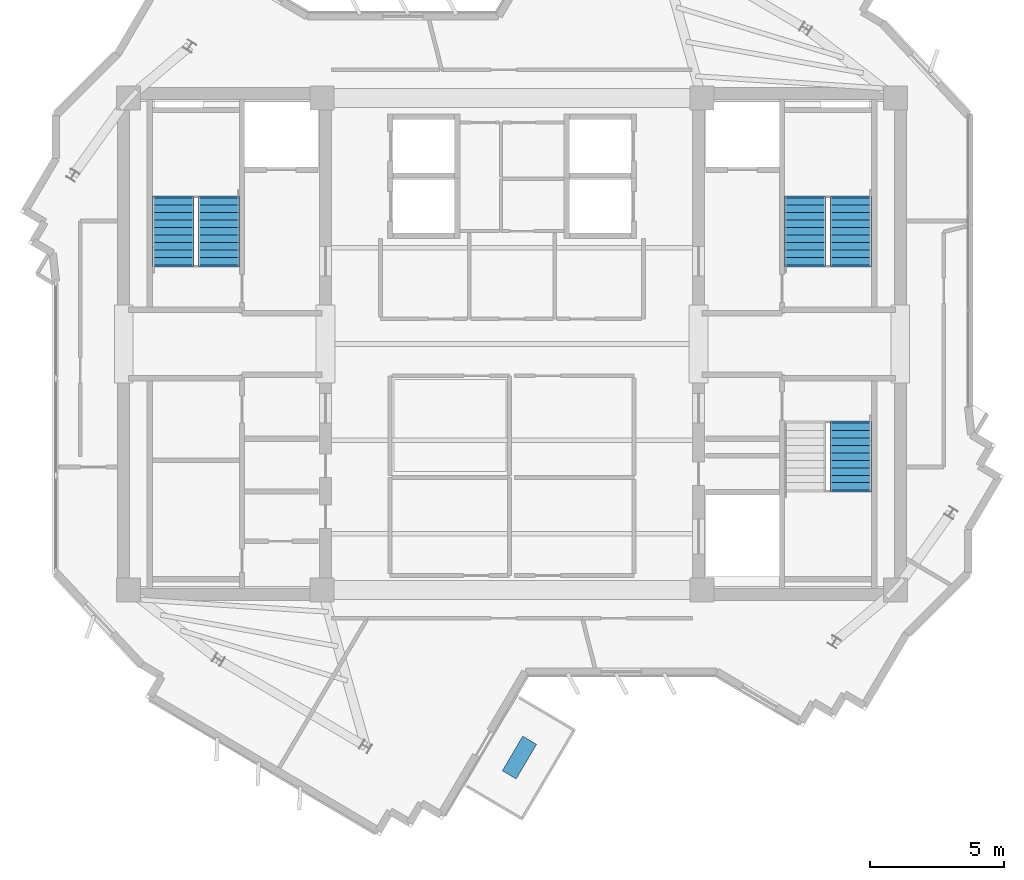
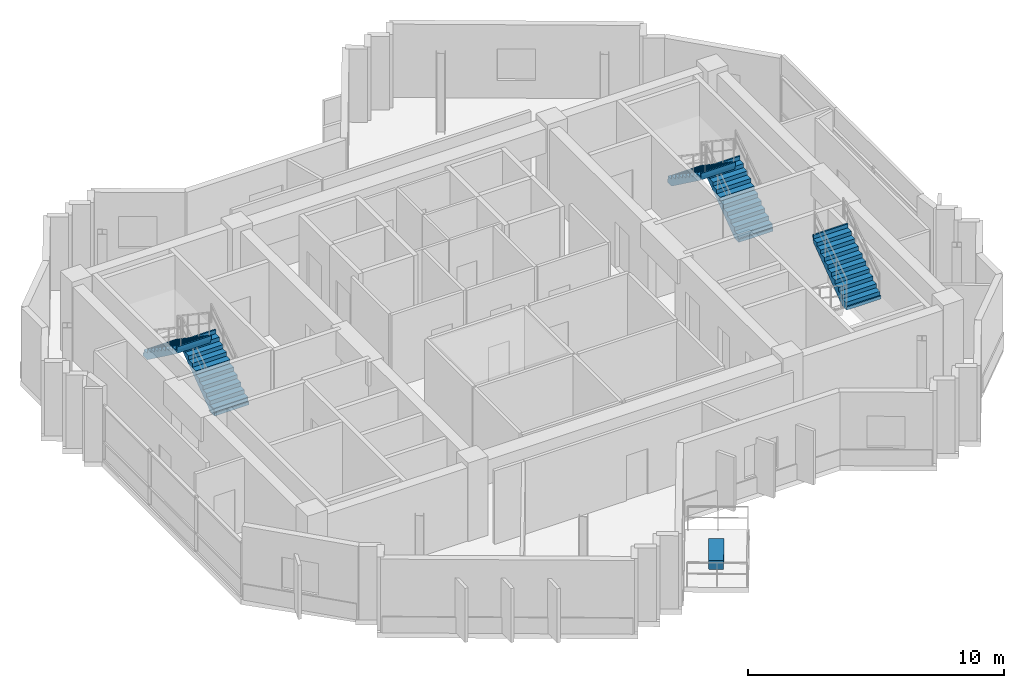
# One storey, part 8 of 10: 5 stair flights, 1 discrete accessory, 3 elements without a shape of their own.
"""IFC4 building model written with IfcOpenShell, lengths in metres."""

from ifc_helpers import new_model, si_unit, direction, frame, origin, origin_2d, place, context, subcontext, project, spatial, polyline, rectangle, outline, extrude, source, transform, mapped, material, type_object, element, aggregate, save


model = new_model("IFC4")

# Units and contexts
model_context = context("Model", 3, precision=1e-05, world=origin(), true_north=direction((0.0, 1.0)))
body_context = subcontext(model_context, "Body", "Model", "MODEL_VIEW")
ifc_project = project(units=[si_unit("LENGTHUNIT", "METRE"), si_unit("AREAUNIT", "SQUARE_METRE"), si_unit("VOLUMEUNIT", "CUBIC_METRE"), si_unit("PLANEANGLEUNIT", "RADIAN"), si_unit("MASSUNIT", "GRAM", prefix="KILO")], contexts=[model_context])

# Site, building, storey
site_placement = place(None, origin())
site = spatial("IfcSite", under=ifc_project, at=site_placement, CompositionType="ELEMENT")
building_placement = place(site_placement, origin())
building = spatial("IfcBuilding", under=site, at=building_placement, Name="Zahravan Cultural Tower", CompositionType="ELEMENT")
storey_placement = place(building_placement, frame((0.0, 0.0, 342.300048828125)))
storey = spatial("IfcBuildingStorey", under=building, at=storey_placement, Name="L83", CompositionType="ELEMENT", Elevation=342.300048828125)

# Stair, stair flights
ifc_material_1 = material(Name="Concrete C45/55", Category="concrete")
stair_type = type_object("IfcStairType", Name="STR-DL-1550-375", PredefinedType="HALF_TURN_STAIR", material=ifc_material_1)
stair_1_placement = place(storey_placement, origin())
stair_1 = element("IfcStair", 1, at=stair_1_placement, inside=storey, type_object=stair_type, Name="L83 West Core North Exit Stair ST-W1", PredefinedType="HALF_TURN_STAIR")
stair_flight_type = type_object("IfcStairFlightType", Name="FLG-DL-1550-375", PredefinedType="STRAIGHT", material=ifc_material_1)
stair_flight_1_placement = place(storey_placement, frame((25.02490234375, 29.949951171875, 0.0), z_axis=(0.0, 0.0, 1.0), x_axis=(0.0, 1.0, 0.0)))
stair_flight_1 = element("IfcStairFlight", 2, at=stair_flight_1_placement, type_object=stair_flight_type, Name="ST-W1 flight 1", NumberOfRisers=10, NumberOfTreads=9, PredefinedType="STRAIGHT", RiserHeight=0.1875, TreadLength=0.28, context=body_context, shape_type="SweptSolid", body=[
    extrude(outline(polyline([(-0.06494140625, -0.139892578125), (-0.06494140625, 0.0), (0.0, 0.0), (0.0, 0.1875), (0.280029296875, 0.1875), (0.280029296875, 0.375), (0.56005859375, 0.375), (0.56005859375, 0.5625), (0.840087890625, 0.5625), (0.840087890625, 0.75), (1.1201171875, 0.75), (1.1201171875, 0.9375), (1.39990234375, 0.9375), (1.39990234375, 1.125), (1.679931640625, 1.125), (1.679931640625, 1.3125), (1.9599609375, 1.3125), (1.9599609375, 1.5), (2.239990234375, 1.5), (2.239990234375, 1.6875), (2.52001953125, 1.6875), (2.52001953125, 1.875), (2.5849609375, 1.875), (2.5849609375, 1.72509765625), (2.52001953125, 1.507080078125), (0.26953125, -0.139892578125), (-0.06494140625, -0.139892578125)])), frame((0.0, 0.77490234375, 0.0), z_axis=(0.0, -1.0, 0.0), x_axis=(1.0, 0.0, 0.0)), (0.0, 0.0, 1.0), 1.550048828125),
])
stair_flight_2_placement = place(storey_placement, frame((23.324951171875, 32.469970703125, 1.875), z_axis=(0.0, 0.0, 1.0), x_axis=(0.0, -1.0, 0.0)))
stair_flight_2 = element("IfcStairFlight", 3, at=stair_flight_2_placement, type_object=stair_flight_type, Name="ST-W1 flight 2", NumberOfRisers=10, NumberOfTreads=9, PredefinedType="STRAIGHT", RiserHeight=0.1875, TreadLength=0.28, context=body_context, shape_type="SweptSolid", body=[
    extrude(outline(polyline([(-0.06494140625, -0.139892578125), (-0.06494140625, 0.0), (0.0, 0.0), (0.0, 0.1875), (0.280029296875, 0.1875), (0.280029296875, 0.375), (0.56005859375, 0.375), (0.56005859375, 0.5625), (0.840087890625, 0.5625), (0.840087890625, 0.75), (1.1201171875, 0.75), (1.1201171875, 0.9375), (1.39990234375, 0.9375), (1.39990234375, 1.125), (1.679931640625, 1.125), (1.679931640625, 1.3125), (1.9599609375, 1.3125), (1.9599609375, 1.5), (2.239990234375, 1.5), (2.239990234375, 1.6875), (2.52001953125, 1.6875), (2.52001953125, 1.875), (2.5849609375, 1.875), (2.5849609375, 1.72509765625), (2.52001953125, 1.507080078125), (0.26953125, -0.139892578125), (-0.06494140625, -0.139892578125)])), frame((0.0, 0.77490234375, 0.0), z_axis=(0.0, -1.0, 0.0), x_axis=(1.0, 0.0, 0.0)), (0.0, 0.0, 1.0), 1.550048828125),
])
aggregate(stair_1, [stair_flight_1, stair_flight_2])

stair_2_placement = place(storey_placement, origin())
stair_2 = element("IfcStair", 4, at=stair_2_placement, inside=storey, type_object=stair_type, Name="L83 East Core North Exit Stair ST-E1", PredefinedType="HALF_TURN_STAIR")
stair_flight_3_placement = place(storey_placement, frame((48.675048828125, 29.949951171875, 0.0), z_axis=(0.0, 0.0, 1.0), x_axis=(0.0, 1.0, 0.0)))
stair_flight_3 = element("IfcStairFlight", 5, at=stair_flight_3_placement, type_object=stair_flight_type, Name="ST-E1 flight 1", NumberOfRisers=10, NumberOfTreads=9, PredefinedType="STRAIGHT", RiserHeight=0.1875, TreadLength=0.28, context=body_context, shape_type="SweptSolid", body=[
    extrude(outline(polyline([(-0.06494140625, -0.139892578125), (-0.06494140625, 0.0), (0.0, 0.0), (0.0, 0.1875), (0.280029296875, 0.1875), (0.280029296875, 0.375), (0.56005859375, 0.375), (0.56005859375, 0.5625), (0.840087890625, 0.5625), (0.840087890625, 0.75), (1.1201171875, 0.75), (1.1201171875, 0.9375), (1.39990234375, 0.9375), (1.39990234375, 1.125), (1.679931640625, 1.125), (1.679931640625, 1.3125), (1.9599609375, 1.3125), (1.9599609375, 1.5), (2.239990234375, 1.5), (2.239990234375, 1.6875), (2.52001953125, 1.6875), (2.52001953125, 1.875), (2.5849609375, 1.875), (2.5849609375, 1.72509765625), (2.52001953125, 1.507080078125), (0.26953125, -0.139892578125), (-0.06494140625, -0.139892578125)])), frame((0.0, 0.77490234375, 0.0), z_axis=(0.0, -1.0, 0.0), x_axis=(1.0, 0.0, 0.0)), (0.0, 0.0, 1.0), 1.550048828125),
])
stair_flight_4_placement = place(storey_placement, frame((46.97509765625, 32.469970703125, 1.875), z_axis=(0.0, 0.0, 1.0), x_axis=(0.0, -1.0, 0.0)))
stair_flight_4 = element("IfcStairFlight", 6, at=stair_flight_4_placement, type_object=stair_flight_type, Name="ST-E1 flight 2", NumberOfRisers=10, NumberOfTreads=9, PredefinedType="STRAIGHT", RiserHeight=0.1875, TreadLength=0.28, context=body_context, shape_type="SweptSolid", body=[
    extrude(outline(polyline([(-0.06494140625, -0.139892578125), (-0.06494140625, 0.0), (0.0, 0.0), (0.0, 0.1875), (0.280029296875, 0.1875), (0.280029296875, 0.375), (0.56005859375, 0.375), (0.56005859375, 0.5625), (0.840087890625, 0.5625), (0.840087890625, 0.75), (1.1201171875, 0.75), (1.1201171875, 0.9375), (1.39990234375, 0.9375), (1.39990234375, 1.125), (1.679931640625, 1.125), (1.679931640625, 1.3125), (1.9599609375, 1.3125), (1.9599609375, 1.5), (2.239990234375, 1.5), (2.239990234375, 1.6875), (2.52001953125, 1.6875), (2.52001953125, 1.875), (2.5849609375, 1.875), (2.5849609375, 1.72509765625), (2.52001953125, 1.507080078125), (0.26953125, -0.139892578125), (-0.06494140625, -0.139892578125)])), frame((0.0, 0.77490234375, 0.0), z_axis=(0.0, -1.0, 0.0), x_axis=(1.0, 0.0, 0.0)), (0.0, 0.0, 1.0), 1.550048828125),
])
aggregate(stair_2, [stair_flight_3, stair_flight_4])

# Stair, stair flight
stair_3_placement = place(storey_placement, origin())
stair_3 = element("IfcStair", 7, at=stair_3_placement, inside=storey, type_object=stair_type, Name="L83 East Core South Exit Stair ST-E2", PredefinedType="HALF_TURN_STAIR")
stair_flight_5_placement = place(storey_placement, frame((48.675048828125, 21.530029296875, 1.875), z_axis=(0.0, 0.0, 1.0), x_axis=(0.0, 1.0, 0.0)))
stair_flight_5 = element("IfcStairFlight", 8, at=stair_flight_5_placement, type_object=stair_flight_type, Name="ST-E2 flight 2", NumberOfRisers=10, NumberOfTreads=9, PredefinedType="STRAIGHT", RiserHeight=0.1875, TreadLength=0.28, context=body_context, shape_type="SweptSolid", body=[
    extrude(outline(polyline([(-0.06494140625, -0.139892578125), (-0.06494140625, 0.0), (0.0, 0.0), (0.0, 0.1875), (0.280029296875, 0.1875), (0.280029296875, 0.375), (0.56005859375, 0.375), (0.56005859375, 0.5625), (0.840087890625, 0.5625), (0.840087890625, 0.75), (1.1201171875, 0.75), (1.1201171875, 0.9375), (1.39990234375, 0.9375), (1.39990234375, 1.125), (1.679931640625, 1.125), (1.679931640625, 1.3125), (1.9599609375, 1.3125), (1.9599609375, 1.5), (2.239990234375, 1.5), (2.239990234375, 1.6875), (2.52001953125, 1.6875), (2.52001953125, 1.875), (2.5849609375, 1.875), (2.5849609375, 1.72509765625), (2.52001953125, 1.507080078125), (0.26953125, -0.139892578125), (-0.06494140625, -0.139892578125)])), frame((0.0, 0.77490234375, 0.0), z_axis=(0.0, -1.0, 0.0), x_axis=(1.0, 0.0, 0.0)), (0.0, 0.0, 1.0), 1.550048828125),
])
aggregate(stair_3, [stair_flight_5])

# Discrete accessory
ifc_material_2 = material(Name="Planted soil and terracotta planter", Category="masonry")
discrete_accessory_type = type_object("IfcDiscreteAccessoryType", Name="ACC-PLANTER-TC", PredefinedType="USERDEFINED", material=ifc_material_2)
shared_shape = source(origin(), body_context, "Body", "SweptSolid", [
    extrude(rectangle(XDim=1.5, YDim=0.60009765625, at=origin_2d()), origin(), (0.0, 0.0, 1.0), 0.419921875),
])
discrete_accessory_placement = place(storey_placement, frame((36.278564453125, 11.531005859375, 0.0), z_axis=(0.0, 0.0, 1.0), x_axis=(0.508290082898, 0.861185921638, 0.0)))
element("IfcDiscreteAccessory", 9, at=discrete_accessory_placement, inside=storey, type_object=discrete_accessory_type, Name="L83 Terracotta Sculpture Planter SW", ObjectType="PLANTER", PredefinedType="USERDEFINED", context=body_context, shape_type="MappedRepresentation", body=[
    mapped(shared_shape, transform((0.0, 0.0, 0.0), x_axis=(1.0, 0.0, 0.0), y_axis=(0.0, 1.0, 0.0), z_axis=(0.0, 0.0, 1.0), scale=1.0)),
])

save(model, "model.ifc")
